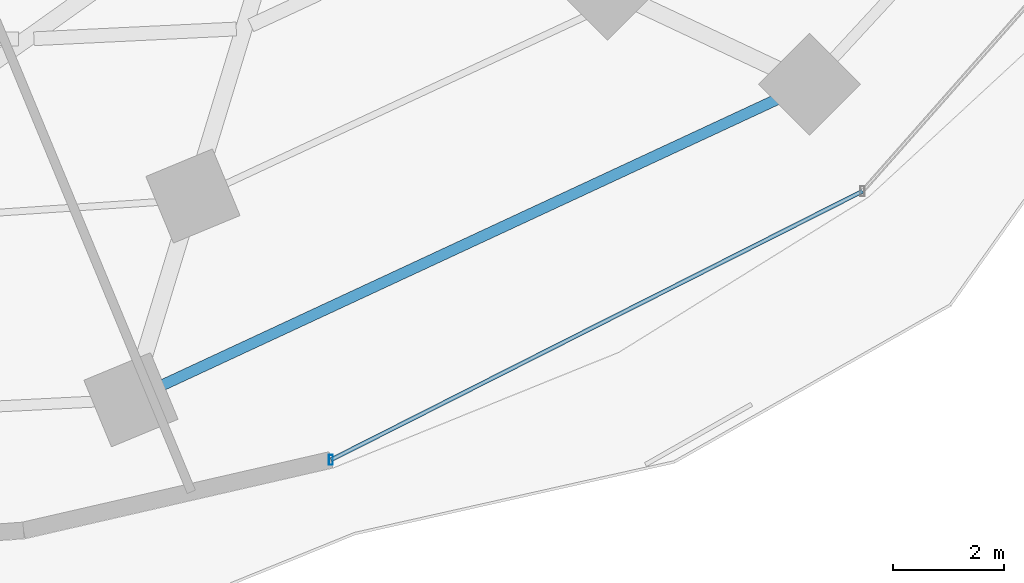
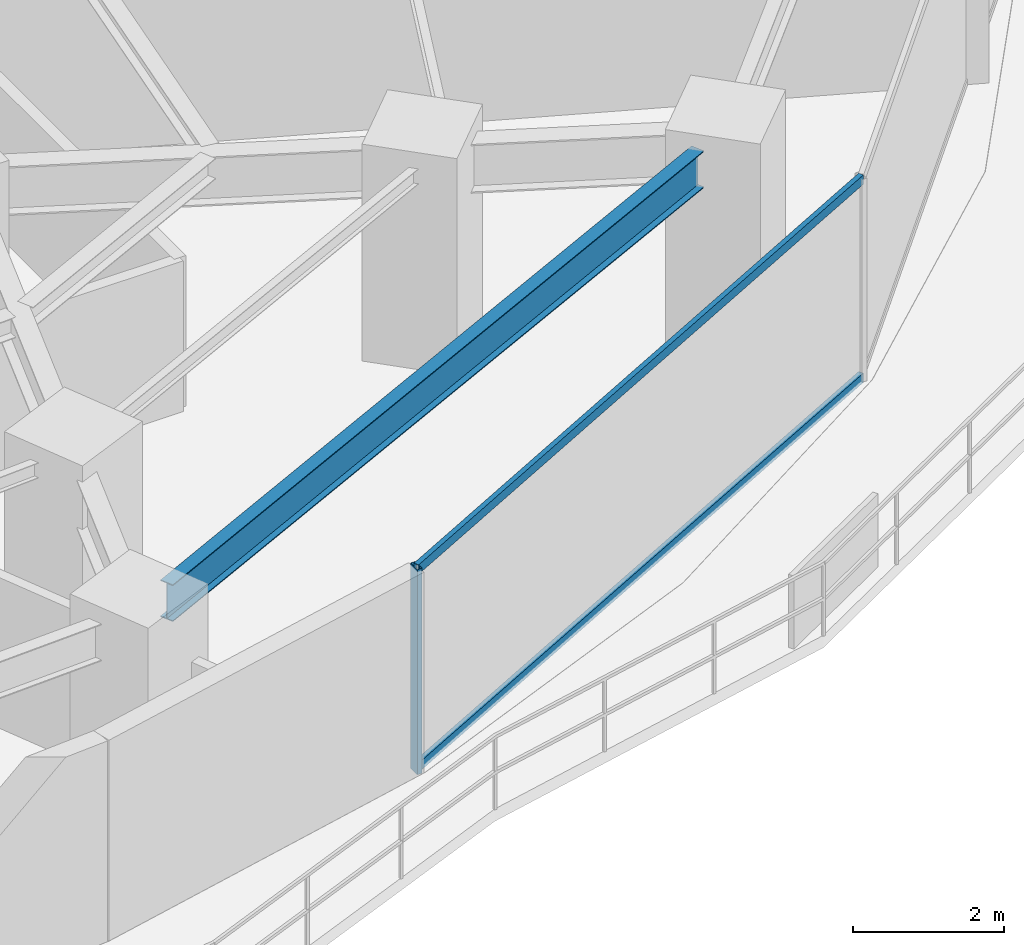
# One storey, part 12 of 35: 3 members, 1 beam, 1 element without a shape of its own.
"""IFC4 building model written with IfcOpenShell, lengths in metres."""

from ifc_helpers import new_model, si_unit, direction, frame, origin, origin_2d, place, context, subcontext, project, spatial, hollow_rectangle, i_section, extrude, material, material_profile, profile_set, type_object, element, aggregate, save


model = new_model("IFC4")

# Units and contexts
model_context = context("Model", 3, precision=1e-05, world=origin(), true_north=direction((0.0, 1.0)))
body_context = subcontext(model_context, "Body", "Model", "MODEL_VIEW")
ifc_project = project(units=[si_unit("LENGTHUNIT", "METRE"), si_unit("AREAUNIT", "SQUARE_METRE"), si_unit("VOLUMEUNIT", "CUBIC_METRE"), si_unit("PLANEANGLEUNIT", "RADIAN"), si_unit("MASSUNIT", "GRAM", prefix="KILO")], contexts=[model_context])

# Site, building, storey
site_placement = place(None, origin())
site = spatial("IfcSite", under=ifc_project, at=site_placement, CompositionType="ELEMENT")
building_placement = place(site_placement, origin())
building = spatial("IfcBuilding", under=site, at=building_placement, Name="Vorneva Point Tower", CompositionType="ELEMENT")
storey_placement = place(building_placement, frame((0.0, 0.0, 45.0)))
storey = spatial("IfcBuildingStorey", under=building, at=storey_placement, Name="L11", CompositionType="ELEMENT", Elevation=45.0)

# Beam
ifc_material_1 = material(Name="Steel S355", Category="steel")
ifc_material_profile_1 = material_profile(ifc_material_1, i_section(OverallWidth=0.198974609375, OverallDepth=0.595947265625, WebThickness=0.010009765625, FlangeThickness=0.014892578125, at=origin_2d()), Name="60B1")
ifc_profile_set_1 = profile_set([ifc_material_profile_1], Name="Steel S355")
beam_type = type_object("IfcBeamType", Name="BM-SPN-60B1", PredefinedType="SPANDREL", material=ifc_profile_set_1)
beam_placement = place(storey_placement, frame((46.27880859375, 6.702880859375, 2.94189453125), z_axis=(0.906776698196, 0.421611218551, 0.0), x_axis=(-0.421611218551, 0.906776698196, 0.0)))
element("IfcBeam", 1, at=beam_placement, inside=storey, type_object=beam_type, Name="L11 Perimeter Spandrel Ring Beam 14", PredefinedType="SPANDREL", context=body_context, shape_type="SweptSolid", body=[
    extrude(i_section(OverallWidth=0.198974609375, OverallDepth=0.595947265625, WebThickness=0.010009765625, FlangeThickness=0.014892578125, at=origin_2d()), origin(), (0.0, 0.0, 1.0), 12.223388671875),
])

# Curtain wall, members
ifc_material_2 = material(Name="Pale anodised aluminium", Category="aluminium")
curtain_wall_type = type_object("IfcCurtainWallType", Name="CW-HTL-SYS", PredefinedType="NOTDEFINED", material=ifc_material_2)
curtain_wall_placement = place(storey_placement, origin())
curtain_wall = element("IfcCurtainWall", 2, at=curtain_wall_placement, inside=storey, type_object=curtain_wall_type, Name="L11 Unitised Curtain Wall CW-L11-R01", PredefinedType="NOTDEFINED")
ifc_material_profile_2 = material_profile(ifc_material_2, hollow_rectangle(XDim=0.074951171875, YDim=0.179931640625, WallThickness=0.00390625, at=origin_2d()), Name="AL-MUL 180x75x4")
ifc_profile_set_2 = profile_set([ifc_material_profile_2], Name="Pale anodised aluminium")
member_type_1 = type_object("IfcMemberType", Name="CW-MUL-180", PredefinedType="MULLION", material=ifc_profile_set_2)
member_1_placement = place(storey_placement, frame((49.308349609375, 5.351318359375, -0.0400390625), z_axis=(0.0, 0.0, 1.0), x_axis=(1.0, 0.0, 0.0)))
member_1 = element("IfcMember", 3, at=member_1_placement, type_object=member_type_1, Name="CW-L11-R01 Mullion 01", PredefinedType="MULLION", context=body_context, shape_type="SweptSolid", body=[
    extrude(hollow_rectangle(XDim=0.074951171875, YDim=0.179931640625, WallThickness=0.00390625, at=origin_2d()), origin(), (0.0, 0.0, 1.0), 3.31005859375),
])
ifc_material_profile_3 = material_profile(ifc_material_2, hollow_rectangle(XDim=0.074951171875, YDim=0.14990234375, WallThickness=0.00390625, at=origin_2d()), Name="AL-TRN 150x75x4")
ifc_profile_set_3 = profile_set([ifc_material_profile_3], Name="Pale anodised aluminium")
member_type_2 = type_object("IfcMemberType", Name="CW-TRN-150", PredefinedType="USERDEFINED", material=ifc_profile_set_3)
member_2_placement = place(storey_placement, frame((49.308349609375, 5.351318359375, 0.02001953125), z_axis=(0.892496057621, 0.451055192999, 0.0), x_axis=(-0.451055192999, 0.892496057621, 0.0)))
member_2 = element("IfcMember", 4, at=member_2_placement, type_object=member_type_2, Name="CW-L11-R01 Transom 01.1", ObjectType="TRANSOM", PredefinedType="USERDEFINED", context=body_context, shape_type="SweptSolid", body=[
    extrude(hollow_rectangle(XDim=0.074951171875, YDim=0.14990234375, WallThickness=0.00390625, at=origin_2d()), origin(), (0.0, 0.0, 1.0), 10.741455078125),
])
member_3_placement = place(storey_placement, frame((49.308349609375, 5.351318359375, 3.219970703125), z_axis=(0.892496057621, 0.451055192999, 0.0), x_axis=(-0.451055192999, 0.892496057621, 0.0)))
member_3 = element("IfcMember", 5, at=member_3_placement, type_object=member_type_2, Name="CW-L11-R01 Transom 01.2", ObjectType="TRANSOM", PredefinedType="USERDEFINED", context=body_context, shape_type="SweptSolid", body=[
    extrude(hollow_rectangle(XDim=0.074951171875, YDim=0.14990234375, WallThickness=0.00390625, at=origin_2d()), origin(), (0.0, 0.0, 1.0), 10.741455078125),
])
aggregate(curtain_wall, [member_1, member_2, member_3])

save(model, "model.ifc")
